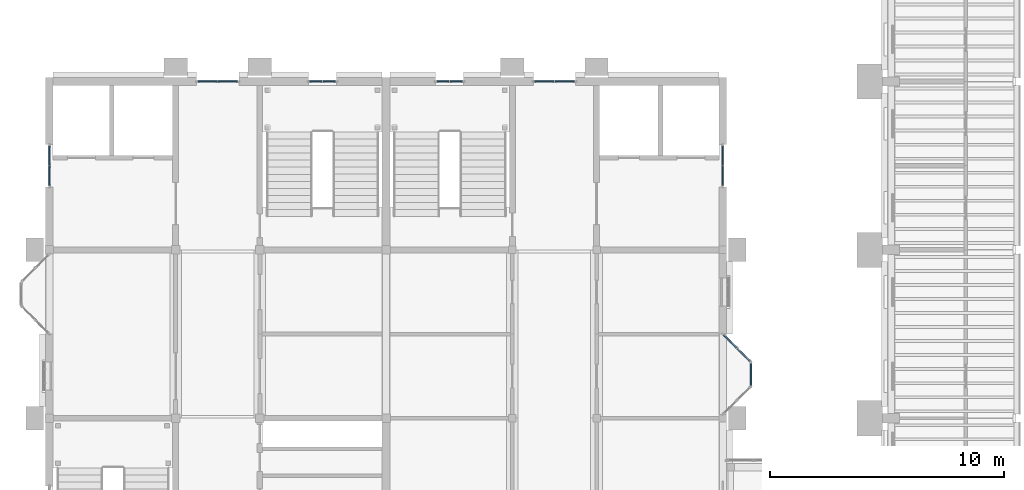
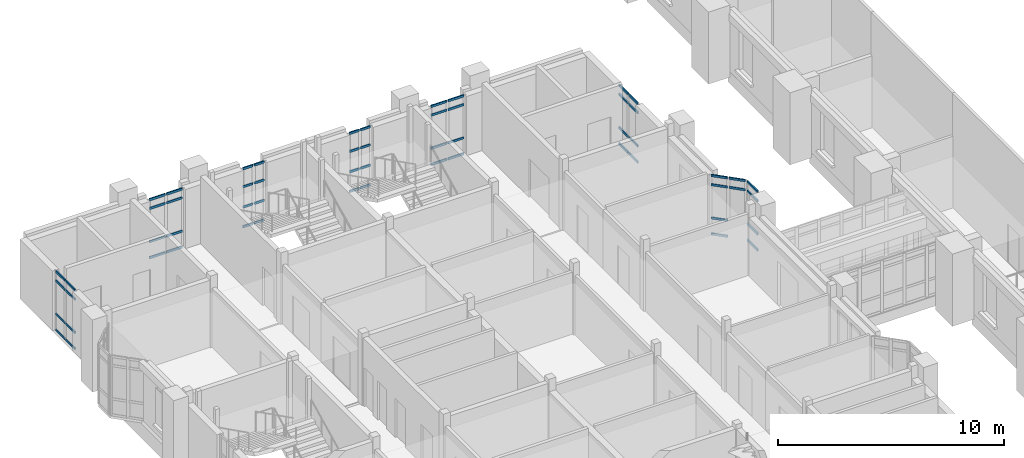
# One storey, part 23 of 69: 58 members, 8 elements without a shape of their own.
"""IFC4 building model written with IfcOpenShell, lengths in metres."""

from ifc_helpers import new_model, si_unit, direction, frame, origin, origin_2d, place, context, subcontext, project, spatial, rectangle, extrude, material, layer, layer_set, material_profile, profile_set, type_object, element, aggregate, save


model = new_model("IFC4")

# Units and contexts
model_context = context("Model", 3, precision=1e-05, world=origin(), true_north=direction((0.0, 1.0)))
body_context = subcontext(model_context, "Body", "Model", "MODEL_VIEW")
ifc_project = project(units=[si_unit("LENGTHUNIT", "METRE"), si_unit("AREAUNIT", "SQUARE_METRE"), si_unit("VOLUMEUNIT", "CUBIC_METRE"), si_unit("PLANEANGLEUNIT", "RADIAN"), si_unit("MASSUNIT", "GRAM", prefix="KILO")], contexts=[model_context])

# Site, building, storey
site_placement = place(None, origin())
site = spatial("IfcSite", under=ifc_project, at=site_placement, CompositionType="ELEMENT")
building_placement = place(site_placement, origin())
building = spatial("IfcBuilding", under=site, at=building_placement, Name="Mazhai Court Health Centre", CompositionType="ELEMENT")
storey_placement = place(building_placement, frame((0.0, 0.0, 6.300048828125)))
storey = spatial("IfcBuildingStorey", under=building, at=storey_placement, Name="L01", CompositionType="ELEMENT", Elevation=6.300048828125)

# Curtain wall, members
ifc_material_1 = material(Name="Teak timber frame, glazed", Category="wood")
ifc_layer_1 = layer(ifc_material_1, 0.10009765625)
ifc_layer_set_1 = layer_set([ifc_layer_1], Name="CURTAIN WALL TIMBER 900")
curtain_wall_type_1 = type_object("IfcCurtainWallType", Name="CURTAIN WALL TIMBER 900", PredefinedType="NOTDEFINED", material=ifc_layer_set_1)
curtain_wall_1_placement = place(storey_placement, origin())
curtain_wall_1 = element("IfcCurtainWall", 1, at=curtain_wall_1_placement, inside=storey, type_object=curtain_wall_type_1, Name="CW-V2-L01-A4", PredefinedType="NOTDEFINED")
ifc_material_2 = material(Name="Teak timber", Category="wood")
ifc_material_profile = material_profile(ifc_material_2, rectangle(XDim=0.06005859375, YDim=0.1201171875, at=origin_2d()), Name="CW TRANSOM 60x120")
ifc_profile_set = profile_set([ifc_material_profile], Name="Teak timber")
member_type = type_object("IfcMemberType", Name="CW TRANSOM 60x120", PredefinedType="USERDEFINED", material=ifc_profile_set)
member_1_placement = place(storey_placement, frame((6.199951171875, 37.760009765625, 0.030029296875), z_axis=(0.0, 1.0, 0.0), x_axis=(-1.0, 0.0, 0.0)))
member_1 = element("IfcMember", 2, at=member_1_placement, type_object=member_type, Name="CW transom 1.1", ObjectType="TRANSOM", PredefinedType="USERDEFINED", context=body_context, shape_type="SweptSolid", body=[
    extrude(rectangle(XDim=0.06005859375, YDim=0.1201171875, at=origin_2d()), origin(), (0.0, 0.0, 1.0), 0.81005859375),
])
member_2_placement = place(storey_placement, frame((6.199951171875, 37.760009765625, 0.89990234375), z_axis=(0.0, 1.0, 0.0), x_axis=(-1.0, 0.0, 0.0)))
member_2 = element("IfcMember", 3, at=member_2_placement, type_object=member_type, Name="CW transom 1.2", ObjectType="TRANSOM", PredefinedType="USERDEFINED", context=body_context, shape_type="SweptSolid", body=[
    extrude(rectangle(XDim=0.06005859375, YDim=0.1201171875, at=origin_2d()), origin(), (0.0, 0.0, 1.0), 0.81005859375),
])
member_3_placement = place(storey_placement, frame((6.199951171875, 37.760009765625, 2.699951171875), z_axis=(0.0, 1.0, 0.0), x_axis=(-1.0, 0.0, 0.0)))
member_3 = element("IfcMember", 4, at=member_3_placement, type_object=member_type, Name="CW transom 1.3", ObjectType="TRANSOM", PredefinedType="USERDEFINED", context=body_context, shape_type="SweptSolid", body=[
    extrude(rectangle(XDim=0.06005859375, YDim=0.1201171875, at=origin_2d()), origin(), (0.0, 0.0, 1.0), 0.81005859375),
])
member_4_placement = place(storey_placement, frame((6.199951171875, 37.760009765625, 3.18994140625), z_axis=(0.0, 1.0, 0.0), x_axis=(-1.0, 0.0, 0.0)))
member_4 = element("IfcMember", 5, at=member_4_placement, type_object=member_type, Name="CW transom 1.4", ObjectType="TRANSOM", PredefinedType="USERDEFINED", context=body_context, shape_type="SweptSolid", body=[
    extrude(rectangle(XDim=0.06005859375, YDim=0.1201171875, at=origin_2d()), origin(), (0.0, 0.0, 1.0), 0.81005859375),
])
member_5_placement = place(storey_placement, frame((6.199951171875, 38.6298828125, 0.030029296875), z_axis=(0.0, 1.0, 0.0), x_axis=(-1.0, 0.0, 0.0)))
member_5 = element("IfcMember", 6, at=member_5_placement, type_object=member_type, Name="CW transom 2.1", ObjectType="TRANSOM", PredefinedType="USERDEFINED", context=body_context, shape_type="SweptSolid", body=[
    extrude(rectangle(XDim=0.06005859375, YDim=0.1201171875, at=origin_2d()), origin(), (0.0, 0.0, 1.0), 0.81005859375),
])
member_6_placement = place(storey_placement, frame((6.199951171875, 38.6298828125, 0.89990234375), z_axis=(0.0, 1.0, 0.0), x_axis=(-1.0, 0.0, 0.0)))
member_6 = element("IfcMember", 7, at=member_6_placement, type_object=member_type, Name="CW transom 2.2", ObjectType="TRANSOM", PredefinedType="USERDEFINED", context=body_context, shape_type="SweptSolid", body=[
    extrude(rectangle(XDim=0.06005859375, YDim=0.1201171875, at=origin_2d()), origin(), (0.0, 0.0, 1.0), 0.81005859375),
])
member_7_placement = place(storey_placement, frame((6.199951171875, 38.6298828125, 2.699951171875), z_axis=(0.0, 1.0, 0.0), x_axis=(-1.0, 0.0, 0.0)))
member_7 = element("IfcMember", 8, at=member_7_placement, type_object=member_type, Name="CW transom 2.3", ObjectType="TRANSOM", PredefinedType="USERDEFINED", context=body_context, shape_type="SweptSolid", body=[
    extrude(rectangle(XDim=0.06005859375, YDim=0.1201171875, at=origin_2d()), origin(), (0.0, 0.0, 1.0), 0.81005859375),
])
member_8_placement = place(storey_placement, frame((6.199951171875, 38.6298828125, 3.18994140625), z_axis=(0.0, 1.0, 0.0), x_axis=(-1.0, 0.0, 0.0)))
member_8 = element("IfcMember", 9, at=member_8_placement, type_object=member_type, Name="CW transom 2.4", ObjectType="TRANSOM", PredefinedType="USERDEFINED", context=body_context, shape_type="SweptSolid", body=[
    extrude(rectangle(XDim=0.06005859375, YDim=0.1201171875, at=origin_2d()), origin(), (0.0, 0.0, 1.0), 0.81005859375),
])
aggregate(curtain_wall_1, [member_1, member_2, member_3, member_4, member_5, member_6, member_7, member_8])

curtain_wall_2_placement = place(storey_placement, origin())
curtain_wall_2 = element("IfcCurtainWall", 10, at=curtain_wall_2_placement, inside=storey, type_object=curtain_wall_type_1, Name="CW-V2-L01-ELIFT0", PredefinedType="NOTDEFINED")
member_9_placement = place(storey_placement, frame((12.56005859375, 42.199951171875, 0.030029296875), z_axis=(1.0, 0.0, 0.0), x_axis=(0.0, 1.0, 0.0)))
member_9 = element("IfcMember", 11, at=member_9_placement, type_object=member_type, Name="CW transom 1.1", ObjectType="TRANSOM", PredefinedType="USERDEFINED", context=body_context, shape_type="SweptSolid", body=[
    extrude(rectangle(XDim=0.06005859375, YDim=0.1201171875, at=origin_2d()), origin(), (0.0, 0.0, 1.0), 0.81005859375),
])
member_10_placement = place(storey_placement, frame((12.56005859375, 42.199951171875, 0.89990234375), z_axis=(1.0, 0.0, 0.0), x_axis=(0.0, 1.0, 0.0)))
member_10 = element("IfcMember", 12, at=member_10_placement, type_object=member_type, Name="CW transom 1.2", ObjectType="TRANSOM", PredefinedType="USERDEFINED", context=body_context, shape_type="SweptSolid", body=[
    extrude(rectangle(XDim=0.06005859375, YDim=0.1201171875, at=origin_2d()), origin(), (0.0, 0.0, 1.0), 0.81005859375),
])
member_11_placement = place(storey_placement, frame((12.56005859375, 42.199951171875, 2.699951171875), z_axis=(1.0, 0.0, 0.0), x_axis=(0.0, 1.0, 0.0)))
member_11 = element("IfcMember", 13, at=member_11_placement, type_object=member_type, Name="CW transom 1.3", ObjectType="TRANSOM", PredefinedType="USERDEFINED", context=body_context, shape_type="SweptSolid", body=[
    extrude(rectangle(XDim=0.06005859375, YDim=0.1201171875, at=origin_2d()), origin(), (0.0, 0.0, 1.0), 0.81005859375),
])
member_12_placement = place(storey_placement, frame((12.56005859375, 42.199951171875, 3.169921875), z_axis=(1.0, 0.0, 0.0), x_axis=(0.0, 1.0, 0.0)))
member_12 = element("IfcMember", 14, at=member_12_placement, type_object=member_type, Name="CW transom 1.4", ObjectType="TRANSOM", PredefinedType="USERDEFINED", context=body_context, shape_type="SweptSolid", body=[
    extrude(rectangle(XDim=0.06005859375, YDim=0.1201171875, at=origin_2d()), origin(), (0.0, 0.0, 1.0), 0.81005859375),
])
member_13_placement = place(storey_placement, frame((13.429931640625, 42.199951171875, 0.030029296875), z_axis=(1.0, 0.0, 0.0), x_axis=(0.0, 1.0, 0.0)))
member_13 = element("IfcMember", 15, at=member_13_placement, type_object=member_type, Name="CW transom 2.1", ObjectType="TRANSOM", PredefinedType="USERDEFINED", context=body_context, shape_type="SweptSolid", body=[
    extrude(rectangle(XDim=0.06005859375, YDim=0.1201171875, at=origin_2d()), origin(), (0.0, 0.0, 1.0), 0.81005859375),
])
member_14_placement = place(storey_placement, frame((13.429931640625, 42.199951171875, 0.89990234375), z_axis=(1.0, 0.0, 0.0), x_axis=(0.0, 1.0, 0.0)))
member_14 = element("IfcMember", 16, at=member_14_placement, type_object=member_type, Name="CW transom 2.2", ObjectType="TRANSOM", PredefinedType="USERDEFINED", context=body_context, shape_type="SweptSolid", body=[
    extrude(rectangle(XDim=0.06005859375, YDim=0.1201171875, at=origin_2d()), origin(), (0.0, 0.0, 1.0), 0.81005859375),
])
member_15_placement = place(storey_placement, frame((13.429931640625, 42.199951171875, 2.699951171875), z_axis=(1.0, 0.0, 0.0), x_axis=(0.0, 1.0, 0.0)))
member_15 = element("IfcMember", 17, at=member_15_placement, type_object=member_type, Name="CW transom 2.3", ObjectType="TRANSOM", PredefinedType="USERDEFINED", context=body_context, shape_type="SweptSolid", body=[
    extrude(rectangle(XDim=0.06005859375, YDim=0.1201171875, at=origin_2d()), origin(), (0.0, 0.0, 1.0), 0.81005859375),
])
member_16_placement = place(storey_placement, frame((13.429931640625, 42.199951171875, 3.169921875), z_axis=(1.0, 0.0, 0.0), x_axis=(0.0, 1.0, 0.0)))
member_16 = element("IfcMember", 18, at=member_16_placement, type_object=member_type, Name="CW transom 2.4", ObjectType="TRANSOM", PredefinedType="USERDEFINED", context=body_context, shape_type="SweptSolid", body=[
    extrude(rectangle(XDim=0.06005859375, YDim=0.1201171875, at=origin_2d()), origin(), (0.0, 0.0, 1.0), 0.81005859375),
])
aggregate(curtain_wall_2, [member_9, member_10, member_11, member_12, member_13, member_14, member_15, member_16])

ifc_material_3 = material(Name="Teak timber frame, glazed", Category="wood")
ifc_layer_2 = layer(ifc_material_3, 0.10009765625)
ifc_layer_set_2 = layer_set([ifc_layer_2], Name="CURTAIN WALL TIMBER 600")
curtain_wall_type_2 = type_object("IfcCurtainWallType", Name="CURTAIN WALL TIMBER 600", PredefinedType="NOTDEFINED", material=ifc_layer_set_2)
curtain_wall_3_placement = place(storey_placement, origin())
curtain_wall_3 = element("IfcCurtainWall", 19, at=curtain_wall_3_placement, inside=storey, type_object=curtain_wall_type_2, Name="CW-V2-L01-ESTAIR1", PredefinedType="NOTDEFINED")
member_17_placement = place(storey_placement, frame((17.340087890625, 42.199951171875, 0.030029296875), z_axis=(1.0, 0.0, 0.0), x_axis=(0.0, 1.0, 0.0)))
member_17 = element("IfcMember", 20, at=member_17_placement, type_object=member_type, Name="CW transom 1.1", ObjectType="TRANSOM", PredefinedType="USERDEFINED", context=body_context, shape_type="SweptSolid", body=[
    extrude(rectangle(XDim=0.06005859375, YDim=0.1201171875, at=origin_2d()), origin(), (0.0, 0.0, 1.0), 0.510009765625),
])
member_18_placement = place(storey_placement, frame((17.340087890625, 42.199951171875, 1.099853515625), z_axis=(1.0, 0.0, 0.0), x_axis=(0.0, 1.0, 0.0)))
member_18 = element("IfcMember", 21, at=member_18_placement, type_object=member_type, Name="CW transom 1.2", ObjectType="TRANSOM", PredefinedType="USERDEFINED", context=body_context, shape_type="SweptSolid", body=[
    extrude(rectangle(XDim=0.06005859375, YDim=0.1201171875, at=origin_2d()), origin(), (0.0, 0.0, 1.0), 0.510009765625),
])
member_19_placement = place(storey_placement, frame((17.340087890625, 42.199951171875, 2.199951171875), z_axis=(1.0, 0.0, 0.0), x_axis=(0.0, 1.0, 0.0)))
member_19 = element("IfcMember", 22, at=member_19_placement, type_object=member_type, Name="CW transom 1.3", ObjectType="TRANSOM", PredefinedType="USERDEFINED", context=body_context, shape_type="SweptSolid", body=[
    extrude(rectangle(XDim=0.06005859375, YDim=0.1201171875, at=origin_2d()), origin(), (0.0, 0.0, 1.0), 0.510009765625),
])
member_20_placement = place(storey_placement, frame((17.340087890625, 42.199951171875, 3.169921875), z_axis=(1.0, 0.0, 0.0), x_axis=(0.0, 1.0, 0.0)))
member_20 = element("IfcMember", 23, at=member_20_placement, type_object=member_type, Name="CW transom 1.4", ObjectType="TRANSOM", PredefinedType="USERDEFINED", context=body_context, shape_type="SweptSolid", body=[
    extrude(rectangle(XDim=0.06005859375, YDim=0.1201171875, at=origin_2d()), origin(), (0.0, 0.0, 1.0), 0.510009765625),
])
member_21_placement = place(storey_placement, frame((17.909912109375, 42.199951171875, 0.030029296875), z_axis=(1.0, 0.0, 0.0), x_axis=(0.0, 1.0, 0.0)))
member_21 = element("IfcMember", 24, at=member_21_placement, type_object=member_type, Name="CW transom 2.1", ObjectType="TRANSOM", PredefinedType="USERDEFINED", context=body_context, shape_type="SweptSolid", body=[
    extrude(rectangle(XDim=0.06005859375, YDim=0.1201171875, at=origin_2d()), origin(), (0.0, 0.0, 1.0), 0.510009765625),
])
member_22_placement = place(storey_placement, frame((17.909912109375, 42.199951171875, 1.099853515625), z_axis=(1.0, 0.0, 0.0), x_axis=(0.0, 1.0, 0.0)))
member_22 = element("IfcMember", 25, at=member_22_placement, type_object=member_type, Name="CW transom 2.2", ObjectType="TRANSOM", PredefinedType="USERDEFINED", context=body_context, shape_type="SweptSolid", body=[
    extrude(rectangle(XDim=0.06005859375, YDim=0.1201171875, at=origin_2d()), origin(), (0.0, 0.0, 1.0), 0.510009765625),
])
member_23_placement = place(storey_placement, frame((17.909912109375, 42.199951171875, 2.199951171875), z_axis=(1.0, 0.0, 0.0), x_axis=(0.0, 1.0, 0.0)))
member_23 = element("IfcMember", 26, at=member_23_placement, type_object=member_type, Name="CW transom 2.3", ObjectType="TRANSOM", PredefinedType="USERDEFINED", context=body_context, shape_type="SweptSolid", body=[
    extrude(rectangle(XDim=0.06005859375, YDim=0.1201171875, at=origin_2d()), origin(), (0.0, 0.0, 1.0), 0.510009765625),
])
member_24_placement = place(storey_placement, frame((17.909912109375, 42.199951171875, 3.169921875), z_axis=(1.0, 0.0, 0.0), x_axis=(0.0, 1.0, 0.0)))
member_24 = element("IfcMember", 27, at=member_24_placement, type_object=member_type, Name="CW transom 2.4", ObjectType="TRANSOM", PredefinedType="USERDEFINED", context=body_context, shape_type="SweptSolid", body=[
    extrude(rectangle(XDim=0.06005859375, YDim=0.1201171875, at=origin_2d()), origin(), (0.0, 0.0, 1.0), 0.510009765625),
])
aggregate(curtain_wall_3, [member_17, member_18, member_19, member_20, member_21, member_22, member_23, member_24])

curtain_wall_4_placement = place(storey_placement, origin())
curtain_wall_4 = element("IfcCurtainWall", 28, at=curtain_wall_4_placement, inside=storey, type_object=curtain_wall_type_1, Name="CW-ORIEL-V5-L01-B30-1", PredefinedType="NOTDEFINED")
member_25_placement = place(storey_placement, frame((36.199951171875, 29.219970703125, 0.030029296875), z_axis=(0.0, 1.0, 0.0), x_axis=(-1.0, 0.0, 0.0)))
member_25 = element("IfcMember", 29, at=member_25_placement, type_object=member_type, Name="CW transom 1.1", ObjectType="TRANSOM", PredefinedType="USERDEFINED", context=body_context, shape_type="SweptSolid", body=[
    extrude(rectangle(XDim=0.06005859375, YDim=0.1201171875, at=origin_2d()), origin(), (0.0, 0.0, 1.0), 0.919921875),
])
member_26_placement = place(storey_placement, frame((36.199951171875, 29.219970703125, 0.89990234375), z_axis=(0.0, 1.0, 0.0), x_axis=(-1.0, 0.0, 0.0)))
member_26 = element("IfcMember", 30, at=member_26_placement, type_object=member_type, Name="CW transom 1.2", ObjectType="TRANSOM", PredefinedType="USERDEFINED", context=body_context, shape_type="SweptSolid", body=[
    extrude(rectangle(XDim=0.06005859375, YDim=0.1201171875, at=origin_2d()), origin(), (0.0, 0.0, 1.0), 0.919921875),
])
member_27_placement = place(storey_placement, frame((36.199951171875, 29.219970703125, 2.699951171875), z_axis=(0.0, 1.0, 0.0), x_axis=(-1.0, 0.0, 0.0)))
member_27 = element("IfcMember", 31, at=member_27_placement, type_object=member_type, Name="CW transom 1.3", ObjectType="TRANSOM", PredefinedType="USERDEFINED", context=body_context, shape_type="SweptSolid", body=[
    extrude(rectangle(XDim=0.06005859375, YDim=0.1201171875, at=origin_2d()), origin(), (0.0, 0.0, 1.0), 0.919921875),
])
member_28_placement = place(storey_placement, frame((36.199951171875, 29.219970703125, 3.18994140625), z_axis=(0.0, 1.0, 0.0), x_axis=(-1.0, 0.0, 0.0)))
member_28 = element("IfcMember", 32, at=member_28_placement, type_object=member_type, Name="CW transom 1.4", ObjectType="TRANSOM", PredefinedType="USERDEFINED", context=body_context, shape_type="SweptSolid", body=[
    extrude(rectangle(XDim=0.06005859375, YDim=0.1201171875, at=origin_2d()), origin(), (0.0, 0.0, 1.0), 0.919921875),
])
aggregate(curtain_wall_4, [member_25, member_26, member_27, member_28])

curtain_wall_5_placement = place(storey_placement, origin())
curtain_wall_5 = element("IfcCurtainWall", 33, at=curtain_wall_5_placement, inside=storey, type_object=curtain_wall_type_1, Name="CW-ORIEL-V5-L01-B30-2", PredefinedType="NOTDEFINED")
member_29_placement = place(storey_placement, frame((36.157470703125, 30.242431640625, 2.699951171875), z_axis=(-0.707106781187, 0.707106781187, 0.0), x_axis=(-0.707106781187, -0.707106781187, 0.0)))
member_29 = element("IfcMember", 34, at=member_29_placement, type_object=member_type, Name="CW transom 1.3", ObjectType="TRANSOM", PredefinedType="USERDEFINED", context=body_context, shape_type="SweptSolid", body=[
    extrude(rectangle(XDim=0.06005859375, YDim=0.1201171875, at=origin_2d()), origin(), (0.0, 0.0, 1.0), 0.758544921875),
])
member_30_placement = place(storey_placement, frame((36.157470703125, 30.242431640625, 3.18994140625), z_axis=(-0.707106781187, 0.707106781187, 0.0), x_axis=(-0.707106781187, -0.707106781187, 0.0)))
member_30 = element("IfcMember", 35, at=member_30_placement, type_object=member_type, Name="CW transom 1.4", ObjectType="TRANSOM", PredefinedType="USERDEFINED", context=body_context, shape_type="SweptSolid", body=[
    extrude(rectangle(XDim=0.06005859375, YDim=0.1201171875, at=origin_2d()), origin(), (0.0, 0.0, 1.0), 0.758544921875),
])
member_31_placement = place(storey_placement, frame((35.578857421875, 30.8212890625, 0.030029296875), z_axis=(-0.707106781187, 0.707106781187, 0.0), x_axis=(-0.707106781187, -0.707106781187, 0.0)))
member_31 = element("IfcMember", 36, at=member_31_placement, type_object=member_type, Name="CW transom 2.1", ObjectType="TRANSOM", PredefinedType="USERDEFINED", context=body_context, shape_type="SweptSolid", body=[
    extrude(rectangle(XDim=0.06005859375, YDim=0.1201171875, at=origin_2d()), origin(), (0.0, 0.0, 1.0), 0.758544921875),
])
member_32_placement = place(storey_placement, frame((35.578857421875, 30.8212890625, 0.89990234375), z_axis=(-0.707106781187, 0.707106781187, 0.0), x_axis=(-0.707106781187, -0.707106781187, 0.0)))
member_32 = element("IfcMember", 37, at=member_32_placement, type_object=member_type, Name="CW transom 2.2", ObjectType="TRANSOM", PredefinedType="USERDEFINED", context=body_context, shape_type="SweptSolid", body=[
    extrude(rectangle(XDim=0.06005859375, YDim=0.1201171875, at=origin_2d()), origin(), (0.0, 0.0, 1.0), 0.758544921875),
])
member_33_placement = place(storey_placement, frame((35.578857421875, 30.8212890625, 2.699951171875), z_axis=(-0.707106781187, 0.707106781187, 0.0), x_axis=(-0.707106781187, -0.707106781187, 0.0)))
member_33 = element("IfcMember", 38, at=member_33_placement, type_object=member_type, Name="CW transom 2.3", ObjectType="TRANSOM", PredefinedType="USERDEFINED", context=body_context, shape_type="SweptSolid", body=[
    extrude(rectangle(XDim=0.06005859375, YDim=0.1201171875, at=origin_2d()), origin(), (0.0, 0.0, 1.0), 0.758544921875),
])
member_34_placement = place(storey_placement, frame((35.578857421875, 30.8212890625, 3.18994140625), z_axis=(-0.707106781187, 0.707106781187, 0.0), x_axis=(-0.707106781187, -0.707106781187, 0.0)))
member_34 = element("IfcMember", 39, at=member_34_placement, type_object=member_type, Name="CW transom 2.4", ObjectType="TRANSOM", PredefinedType="USERDEFINED", context=body_context, shape_type="SweptSolid", body=[
    extrude(rectangle(XDim=0.06005859375, YDim=0.1201171875, at=origin_2d()), origin(), (0.0, 0.0, 1.0), 0.758544921875),
])
aggregate(curtain_wall_5, [member_29, member_30, member_31, member_32, member_33, member_34])

curtain_wall_6_placement = place(storey_placement, origin())
curtain_wall_6 = element("IfcCurtainWall", 40, at=curtain_wall_6_placement, inside=storey, type_object=curtain_wall_type_1, Name="CW-V5-L01-B4", PredefinedType="NOTDEFINED")
member_35_placement = place(storey_placement, frame((35.0, 39.43994140625, 0.030029296875), z_axis=(0.0, -1.0, 0.0), x_axis=(1.0, 0.0, 0.0)))
member_35 = element("IfcMember", 41, at=member_35_placement, type_object=member_type, Name="CW transom 1.1", ObjectType="TRANSOM", PredefinedType="USERDEFINED", context=body_context, shape_type="SweptSolid", body=[
    extrude(rectangle(XDim=0.06005859375, YDim=0.1201171875, at=origin_2d()), origin(), (0.0, 0.0, 1.0), 0.81005859375),
])
member_36_placement = place(storey_placement, frame((35.0, 39.43994140625, 0.89990234375), z_axis=(0.0, -1.0, 0.0), x_axis=(1.0, 0.0, 0.0)))
member_36 = element("IfcMember", 42, at=member_36_placement, type_object=member_type, Name="CW transom 1.2", ObjectType="TRANSOM", PredefinedType="USERDEFINED", context=body_context, shape_type="SweptSolid", body=[
    extrude(rectangle(XDim=0.06005859375, YDim=0.1201171875, at=origin_2d()), origin(), (0.0, 0.0, 1.0), 0.81005859375),
])
member_37_placement = place(storey_placement, frame((35.0, 39.43994140625, 2.699951171875), z_axis=(0.0, -1.0, 0.0), x_axis=(1.0, 0.0, 0.0)))
member_37 = element("IfcMember", 43, at=member_37_placement, type_object=member_type, Name="CW transom 1.3", ObjectType="TRANSOM", PredefinedType="USERDEFINED", context=body_context, shape_type="SweptSolid", body=[
    extrude(rectangle(XDim=0.06005859375, YDim=0.1201171875, at=origin_2d()), origin(), (0.0, 0.0, 1.0), 0.81005859375),
])
member_38_placement = place(storey_placement, frame((35.0, 39.43994140625, 3.18994140625), z_axis=(0.0, -1.0, 0.0), x_axis=(1.0, 0.0, 0.0)))
member_38 = element("IfcMember", 44, at=member_38_placement, type_object=member_type, Name="CW transom 1.4", ObjectType="TRANSOM", PredefinedType="USERDEFINED", context=body_context, shape_type="SweptSolid", body=[
    extrude(rectangle(XDim=0.06005859375, YDim=0.1201171875, at=origin_2d()), origin(), (0.0, 0.0, 1.0), 0.81005859375),
])
member_39_placement = place(storey_placement, frame((35.0, 38.570068359375, 0.030029296875), z_axis=(0.0, -1.0, 0.0), x_axis=(1.0, 0.0, 0.0)))
member_39 = element("IfcMember", 45, at=member_39_placement, type_object=member_type, Name="CW transom 2.1", ObjectType="TRANSOM", PredefinedType="USERDEFINED", context=body_context, shape_type="SweptSolid", body=[
    extrude(rectangle(XDim=0.06005859375, YDim=0.1201171875, at=origin_2d()), origin(), (0.0, 0.0, 1.0), 0.81005859375),
])
member_40_placement = place(storey_placement, frame((35.0, 38.570068359375, 0.89990234375), z_axis=(0.0, -1.0, 0.0), x_axis=(1.0, 0.0, 0.0)))
member_40 = element("IfcMember", 46, at=member_40_placement, type_object=member_type, Name="CW transom 2.2", ObjectType="TRANSOM", PredefinedType="USERDEFINED", context=body_context, shape_type="SweptSolid", body=[
    extrude(rectangle(XDim=0.06005859375, YDim=0.1201171875, at=origin_2d()), origin(), (0.0, 0.0, 1.0), 0.81005859375),
])
member_41_placement = place(storey_placement, frame((35.0, 38.570068359375, 2.699951171875), z_axis=(0.0, -1.0, 0.0), x_axis=(1.0, 0.0, 0.0)))
member_41 = element("IfcMember", 47, at=member_41_placement, type_object=member_type, Name="CW transom 2.3", ObjectType="TRANSOM", PredefinedType="USERDEFINED", context=body_context, shape_type="SweptSolid", body=[
    extrude(rectangle(XDim=0.06005859375, YDim=0.1201171875, at=origin_2d()), origin(), (0.0, 0.0, 1.0), 0.81005859375),
])
member_42_placement = place(storey_placement, frame((35.0, 38.570068359375, 3.18994140625), z_axis=(0.0, -1.0, 0.0), x_axis=(1.0, 0.0, 0.0)))
member_42 = element("IfcMember", 48, at=member_42_placement, type_object=member_type, Name="CW transom 2.4", ObjectType="TRANSOM", PredefinedType="USERDEFINED", context=body_context, shape_type="SweptSolid", body=[
    extrude(rectangle(XDim=0.06005859375, YDim=0.1201171875, at=origin_2d()), origin(), (0.0, 0.0, 1.0), 0.81005859375),
])
aggregate(curtain_wall_6, [member_35, member_36, member_37, member_38, member_39, member_40, member_41, member_42])

curtain_wall_7_placement = place(storey_placement, origin())
curtain_wall_7 = element("IfcCurtainWall", 49, at=curtain_wall_7_placement, inside=storey, type_object=curtain_wall_type_2, Name="CW-V5-L01-ESTAIR0", PredefinedType="NOTDEFINED")
member_43_placement = place(storey_placement, frame((22.780029296875, 42.199951171875, 0.030029296875), z_axis=(1.0, 0.0, 0.0), x_axis=(0.0, 1.0, 0.0)))
member_43 = element("IfcMember", 50, at=member_43_placement, type_object=member_type, Name="CW transom 1.1", ObjectType="TRANSOM", PredefinedType="USERDEFINED", context=body_context, shape_type="SweptSolid", body=[
    extrude(rectangle(XDim=0.06005859375, YDim=0.1201171875, at=origin_2d()), origin(), (0.0, 0.0, 1.0), 0.510009765625),
])
member_44_placement = place(storey_placement, frame((22.780029296875, 42.199951171875, 1.099853515625), z_axis=(1.0, 0.0, 0.0), x_axis=(0.0, 1.0, 0.0)))
member_44 = element("IfcMember", 51, at=member_44_placement, type_object=member_type, Name="CW transom 1.2", ObjectType="TRANSOM", PredefinedType="USERDEFINED", context=body_context, shape_type="SweptSolid", body=[
    extrude(rectangle(XDim=0.06005859375, YDim=0.1201171875, at=origin_2d()), origin(), (0.0, 0.0, 1.0), 0.510009765625),
])
member_45_placement = place(storey_placement, frame((22.780029296875, 42.199951171875, 2.199951171875), z_axis=(1.0, 0.0, 0.0), x_axis=(0.0, 1.0, 0.0)))
member_45 = element("IfcMember", 52, at=member_45_placement, type_object=member_type, Name="CW transom 1.3", ObjectType="TRANSOM", PredefinedType="USERDEFINED", context=body_context, shape_type="SweptSolid", body=[
    extrude(rectangle(XDim=0.06005859375, YDim=0.1201171875, at=origin_2d()), origin(), (0.0, 0.0, 1.0), 0.510009765625),
])
member_46_placement = place(storey_placement, frame((22.780029296875, 42.199951171875, 3.169921875), z_axis=(1.0, 0.0, 0.0), x_axis=(0.0, 1.0, 0.0)))
member_46 = element("IfcMember", 53, at=member_46_placement, type_object=member_type, Name="CW transom 1.4", ObjectType="TRANSOM", PredefinedType="USERDEFINED", context=body_context, shape_type="SweptSolid", body=[
    extrude(rectangle(XDim=0.06005859375, YDim=0.1201171875, at=origin_2d()), origin(), (0.0, 0.0, 1.0), 0.510009765625),
])
member_47_placement = place(storey_placement, frame((23.35009765625, 42.199951171875, 0.030029296875), z_axis=(1.0, 0.0, 0.0), x_axis=(0.0, 1.0, 0.0)))
member_47 = element("IfcMember", 54, at=member_47_placement, type_object=member_type, Name="CW transom 2.1", ObjectType="TRANSOM", PredefinedType="USERDEFINED", context=body_context, shape_type="SweptSolid", body=[
    extrude(rectangle(XDim=0.06005859375, YDim=0.1201171875, at=origin_2d()), origin(), (0.0, 0.0, 1.0), 0.510009765625),
])
member_48_placement = place(storey_placement, frame((23.35009765625, 42.199951171875, 1.099853515625), z_axis=(1.0, 0.0, 0.0), x_axis=(0.0, 1.0, 0.0)))
member_48 = element("IfcMember", 55, at=member_48_placement, type_object=member_type, Name="CW transom 2.2", ObjectType="TRANSOM", PredefinedType="USERDEFINED", context=body_context, shape_type="SweptSolid", body=[
    extrude(rectangle(XDim=0.06005859375, YDim=0.1201171875, at=origin_2d()), origin(), (0.0, 0.0, 1.0), 0.510009765625),
])
member_49_placement = place(storey_placement, frame((23.35009765625, 42.199951171875, 2.199951171875), z_axis=(1.0, 0.0, 0.0), x_axis=(0.0, 1.0, 0.0)))
member_49 = element("IfcMember", 56, at=member_49_placement, type_object=member_type, Name="CW transom 2.3", ObjectType="TRANSOM", PredefinedType="USERDEFINED", context=body_context, shape_type="SweptSolid", body=[
    extrude(rectangle(XDim=0.06005859375, YDim=0.1201171875, at=origin_2d()), origin(), (0.0, 0.0, 1.0), 0.510009765625),
])
member_50_placement = place(storey_placement, frame((23.35009765625, 42.199951171875, 3.169921875), z_axis=(1.0, 0.0, 0.0), x_axis=(0.0, 1.0, 0.0)))
member_50 = element("IfcMember", 57, at=member_50_placement, type_object=member_type, Name="CW transom 2.4", ObjectType="TRANSOM", PredefinedType="USERDEFINED", context=body_context, shape_type="SweptSolid", body=[
    extrude(rectangle(XDim=0.06005859375, YDim=0.1201171875, at=origin_2d()), origin(), (0.0, 0.0, 1.0), 0.510009765625),
])
aggregate(curtain_wall_7, [member_43, member_44, member_45, member_46, member_47, member_48, member_49, member_50])

curtain_wall_8_placement = place(storey_placement, origin())
curtain_wall_8 = element("IfcCurtainWall", 58, at=curtain_wall_8_placement, inside=storey, type_object=curtain_wall_type_1, Name="CW-V5-L01-ELIFT1", PredefinedType="NOTDEFINED")
member_51_placement = place(storey_placement, frame((26.9599609375, 42.199951171875, 0.030029296875), z_axis=(1.0, 0.0, 0.0), x_axis=(0.0, 1.0, 0.0)))
member_51 = element("IfcMember", 59, at=member_51_placement, type_object=member_type, Name="CW transom 1.1", ObjectType="TRANSOM", PredefinedType="USERDEFINED", context=body_context, shape_type="SweptSolid", body=[
    extrude(rectangle(XDim=0.06005859375, YDim=0.1201171875, at=origin_2d()), origin(), (0.0, 0.0, 1.0), 0.81005859375),
])
member_52_placement = place(storey_placement, frame((26.9599609375, 42.199951171875, 0.89990234375), z_axis=(1.0, 0.0, 0.0), x_axis=(0.0, 1.0, 0.0)))
member_52 = element("IfcMember", 60, at=member_52_placement, type_object=member_type, Name="CW transom 1.2", ObjectType="TRANSOM", PredefinedType="USERDEFINED", context=body_context, shape_type="SweptSolid", body=[
    extrude(rectangle(XDim=0.06005859375, YDim=0.1201171875, at=origin_2d()), origin(), (0.0, 0.0, 1.0), 0.81005859375),
])
member_53_placement = place(storey_placement, frame((26.9599609375, 42.199951171875, 2.699951171875), z_axis=(1.0, 0.0, 0.0), x_axis=(0.0, 1.0, 0.0)))
member_53 = element("IfcMember", 61, at=member_53_placement, type_object=member_type, Name="CW transom 1.3", ObjectType="TRANSOM", PredefinedType="USERDEFINED", context=body_context, shape_type="SweptSolid", body=[
    extrude(rectangle(XDim=0.06005859375, YDim=0.1201171875, at=origin_2d()), origin(), (0.0, 0.0, 1.0), 0.81005859375),
])
member_54_placement = place(storey_placement, frame((26.9599609375, 42.199951171875, 3.169921875), z_axis=(1.0, 0.0, 0.0), x_axis=(0.0, 1.0, 0.0)))
member_54 = element("IfcMember", 62, at=member_54_placement, type_object=member_type, Name="CW transom 1.4", ObjectType="TRANSOM", PredefinedType="USERDEFINED", context=body_context, shape_type="SweptSolid", body=[
    extrude(rectangle(XDim=0.06005859375, YDim=0.1201171875, at=origin_2d()), origin(), (0.0, 0.0, 1.0), 0.81005859375),
])
member_55_placement = place(storey_placement, frame((27.830078125, 42.199951171875, 0.030029296875), z_axis=(1.0, 0.0, 0.0), x_axis=(0.0, 1.0, 0.0)))
member_55 = element("IfcMember", 63, at=member_55_placement, type_object=member_type, Name="CW transom 2.1", ObjectType="TRANSOM", PredefinedType="USERDEFINED", context=body_context, shape_type="SweptSolid", body=[
    extrude(rectangle(XDim=0.06005859375, YDim=0.1201171875, at=origin_2d()), origin(), (0.0, 0.0, 1.0), 0.809814453125),
])
member_56_placement = place(storey_placement, frame((27.830078125, 42.199951171875, 0.89990234375), z_axis=(1.0, 0.0, 0.0), x_axis=(0.0, 1.0, 0.0)))
member_56 = element("IfcMember", 64, at=member_56_placement, type_object=member_type, Name="CW transom 2.2", ObjectType="TRANSOM", PredefinedType="USERDEFINED", context=body_context, shape_type="SweptSolid", body=[
    extrude(rectangle(XDim=0.06005859375, YDim=0.1201171875, at=origin_2d()), origin(), (0.0, 0.0, 1.0), 0.809814453125),
])
member_57_placement = place(storey_placement, frame((27.830078125, 42.199951171875, 2.699951171875), z_axis=(1.0, 0.0, 0.0), x_axis=(0.0, 1.0, 0.0)))
member_57 = element("IfcMember", 65, at=member_57_placement, type_object=member_type, Name="CW transom 2.3", ObjectType="TRANSOM", PredefinedType="USERDEFINED", context=body_context, shape_type="SweptSolid", body=[
    extrude(rectangle(XDim=0.06005859375, YDim=0.1201171875, at=origin_2d()), origin(), (0.0, 0.0, 1.0), 0.809814453125),
])
member_58_placement = place(storey_placement, frame((27.830078125, 42.199951171875, 3.169921875), z_axis=(1.0, 0.0, 0.0), x_axis=(0.0, 1.0, 0.0)))
member_58 = element("IfcMember", 66, at=member_58_placement, type_object=member_type, Name="CW transom 2.4", ObjectType="TRANSOM", PredefinedType="USERDEFINED", context=body_context, shape_type="SweptSolid", body=[
    extrude(rectangle(XDim=0.06005859375, YDim=0.1201171875, at=origin_2d()), origin(), (0.0, 0.0, 1.0), 0.809814453125),
])
aggregate(curtain_wall_8, [member_51, member_52, member_53, member_54, member_55, member_56, member_57, member_58])

save(model, "model.ifc")
